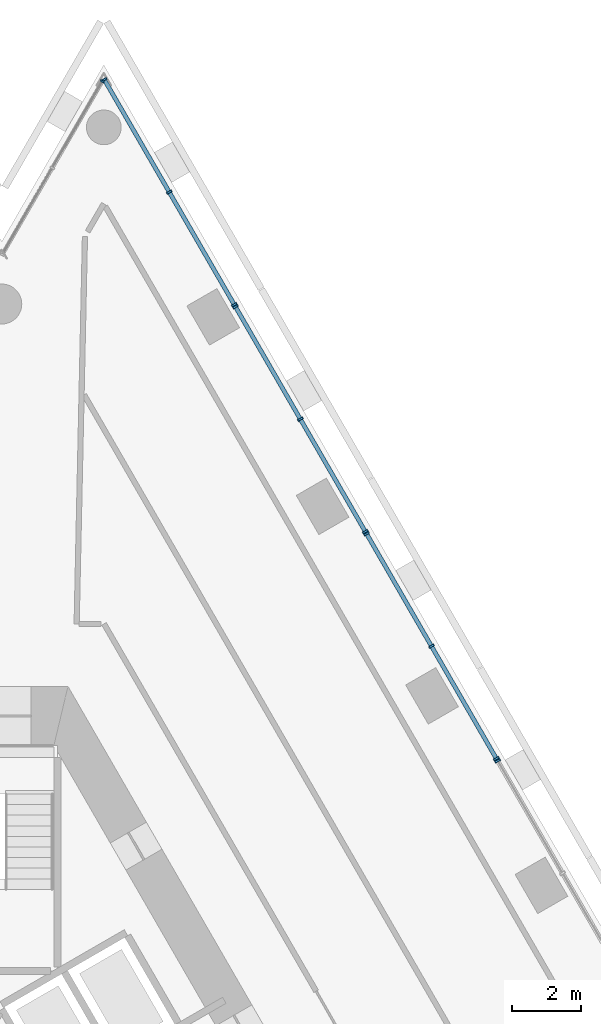
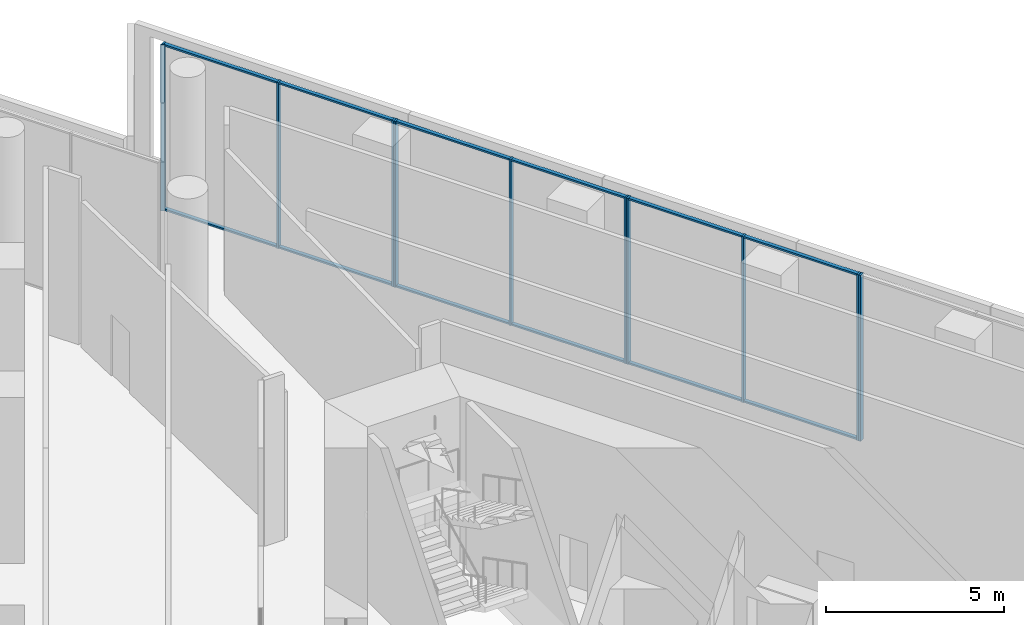
# One storey, part 8 of 18: 23 members, 5 elements without a shape of their own.
"""IFC4 building model written with IfcOpenShell, lengths in metres."""

from ifc_helpers import new_model, si_unit, direction, frame, origin, origin_2d, place, context, subcontext, project, spatial, rectangle, extrude, material, layer, layer_set, material_profile, profile_set, type_object, element, aggregate, save


model = new_model("IFC4")

# Units and contexts
model_context = context("Model", 3, precision=1e-05, world=origin(), true_north=direction((0.0, 1.0)))
body_context = subcontext(model_context, "Body", "Model", "MODEL_VIEW")
ifc_project = project(units=[si_unit("LENGTHUNIT", "METRE"), si_unit("AREAUNIT", "SQUARE_METRE"), si_unit("VOLUMEUNIT", "CUBIC_METRE"), si_unit("PLANEANGLEUNIT", "RADIAN"), si_unit("MASSUNIT", "GRAM", prefix="KILO")], contexts=[model_context])

# Site, building, storey
site_placement = place(None, origin())
site = spatial("IfcSite", under=ifc_project, at=site_placement, CompositionType="ELEMENT")
building_placement = place(site_placement, origin())
building = spatial("IfcBuilding", under=site, at=building_placement, Name="Triada Interchange Tower", CompositionType="ELEMENT")
storey_placement = place(building_placement, frame((0.0, 0.0, 185.300048828125)))
storey = spatial("IfcBuildingStorey", under=building, at=storey_placement, Name="L43", CompositionType="ELEMENT", Elevation=185.300048828125)

# Curtain wall, member
ifc_material_1 = material(Name="Aluminium framed glazing", Category="aluminium")
ifc_layer_1 = layer(ifc_material_1, 0.199951171875)
ifc_layer_set_1 = layer_set([ifc_layer_1], Name="Curtain wall Sky lobby glazing")
curtain_wall_type_1 = type_object("IfcCurtainWallType", Name="Curtain wall Sky lobby glazing", PredefinedType="NOTDEFINED", material=ifc_layer_set_1)
curtain_wall_1_placement = place(storey_placement, origin())
curtain_wall_1 = element("IfcCurtainWall", 1, at=curtain_wall_1_placement, inside=storey, type_object=curtain_wall_type_1, Name="Sky lobby glazing CW122 L43", PredefinedType="NOTDEFINED")
ifc_material_2 = material(Name="Aluminium", Category="aluminium")
ifc_material_profile_1 = material_profile(ifc_material_2, rectangle(XDim=0.159912109375, YDim=0.06005859375, at=origin_2d()), Name="Aluminium mullion")
ifc_profile_set_1 = profile_set([ifc_material_profile_1], Name="Aluminium")
member_type_1 = type_object("IfcMemberType", Name="Mullion Sky lobby glazing 160x60", PredefinedType="MULLION", material=ifc_profile_set_1)
member_1_placement = place(storey_placement, frame((14.27490234375, 12.55810546875, 0.0), z_axis=(0.0, 0.0, 1.0), x_axis=(-0.866046386007, -0.499963655963, 0.0)))
member_1 = element("IfcMember", 2, at=member_1_placement, type_object=member_type_1, Name="CW122 mullion 3", PredefinedType="MULLION", context=body_context, shape_type="SweptSolid", body=[
    extrude(rectangle(XDim=0.159912109375, YDim=0.06005859375, at=origin_2d()), origin(), (0.0, 0.0, 1.0), 5.699951171875),
])
aggregate(curtain_wall_1, [member_1])

# Curtain wall, members
curtain_wall_2_placement = place(storey_placement, origin())
curtain_wall_2 = element("IfcCurtainWall", 3, at=curtain_wall_2_placement, inside=storey, type_object=curtain_wall_type_1, Name="Sky lobby glazing CW123 L43", PredefinedType="NOTDEFINED")
member_2_placement = place(storey_placement, frame((14.239990234375, 12.618896484375, 0.0), z_axis=(0.0, 0.0, 1.0), x_axis=(-0.866046386007, -0.499963655963, 0.0)))
member_2 = element("IfcMember", 4, at=member_2_placement, type_object=member_type_1, Name="CW123 mullion 1", PredefinedType="MULLION", context=body_context, shape_type="SweptSolid", body=[
    extrude(rectangle(XDim=0.159912109375, YDim=0.06005859375, at=origin_2d()), origin(), (0.0, 0.0, 1.0), 5.699951171875),
])
member_3_placement = place(storey_placement, frame((12.37109375, 15.8564453125, 0.0), z_axis=(0.0, 0.0, 1.0), x_axis=(-0.866046386007, -0.499963655963, 0.0)))
member_3 = element("IfcMember", 5, at=member_3_placement, type_object=member_type_1, Name="CW123 mullion 2", PredefinedType="MULLION", context=body_context, shape_type="SweptSolid", body=[
    extrude(rectangle(XDim=0.159912109375, YDim=0.06005859375, at=origin_2d()), origin(), (0.0, 0.0, 1.0), 5.699951171875),
])
member_4_placement = place(storey_placement, frame((10.501953125, 19.093994140625, 0.0), z_axis=(0.0, 0.0, 1.0), x_axis=(-0.866046386007, -0.499963655963, 0.0)))
member_4 = element("IfcMember", 6, at=member_4_placement, type_object=member_type_1, Name="CW123 mullion 3", PredefinedType="MULLION", context=body_context, shape_type="SweptSolid", body=[
    extrude(rectangle(XDim=0.159912109375, YDim=0.06005859375, at=origin_2d()), origin(), (0.0, 0.0, 1.0), 5.699951171875),
])

curtain_wall_3_placement = place(storey_placement, origin())
curtain_wall_3 = element("IfcCurtainWall", 7, at=curtain_wall_3_placement, inside=storey, type_object=curtain_wall_type_1, Name="Sky lobby glazing CW124 L43", PredefinedType="NOTDEFINED")
member_5_placement = place(storey_placement, frame((10.467041015625, 19.154052734375, 0.0), z_axis=(0.0, 0.0, 1.0), x_axis=(-0.86598893184, -0.500063165941, 0.0)))
member_5 = element("IfcMember", 8, at=member_5_placement, type_object=member_type_1, Name="CW124 mullion 1", PredefinedType="MULLION", context=body_context, shape_type="SweptSolid", body=[
    extrude(rectangle(XDim=0.159912109375, YDim=0.06005859375, at=origin_2d()), origin(), (0.0, 0.0, 1.0), 5.699951171875),
])
member_6_placement = place(storey_placement, frame((8.597412109375, 22.3916015625, 0.0), z_axis=(0.0, 0.0, 1.0), x_axis=(-0.86598893184, -0.500063165941, 0.0)))
member_6 = element("IfcMember", 9, at=member_6_placement, type_object=member_type_1, Name="CW124 mullion 2", PredefinedType="MULLION", context=body_context, shape_type="SweptSolid", body=[
    extrude(rectangle(XDim=0.159912109375, YDim=0.06005859375, at=origin_2d()), origin(), (0.0, 0.0, 1.0), 5.699951171875),
])
member_7_placement = place(storey_placement, frame((6.72802734375, 25.62890625, 0.0), z_axis=(0.0, 0.0, 1.0), x_axis=(-0.86598893184, -0.500063165941, 0.0)))
member_7 = element("IfcMember", 10, at=member_7_placement, type_object=member_type_1, Name="CW124 mullion 3", PredefinedType="MULLION", context=body_context, shape_type="SweptSolid", body=[
    extrude(rectangle(XDim=0.159912109375, YDim=0.06005859375, at=origin_2d()), origin(), (0.0, 0.0, 1.0), 5.699951171875),
])

curtain_wall_4_placement = place(storey_placement, origin())
curtain_wall_4 = element("IfcCurtainWall", 11, at=curtain_wall_4_placement, inside=storey, type_object=curtain_wall_type_1, Name="Sky lobby glazing CW125 L43", PredefinedType="NOTDEFINED")
member_8_placement = place(storey_placement, frame((6.693115234375, 25.68994140625, 0.0), z_axis=(0.0, 0.0, 1.0), x_axis=(-0.866006720076, -0.500032359736, 0.0)))
member_8 = element("IfcMember", 12, at=member_8_placement, type_object=member_type_1, Name="CW125 mullion 1", PredefinedType="MULLION", context=body_context, shape_type="SweptSolid", body=[
    extrude(rectangle(XDim=0.159912109375, YDim=0.06005859375, at=origin_2d()), origin(), (0.0, 0.0, 1.0), 5.699951171875),
])
member_9_placement = place(storey_placement, frame((4.822509765625, 28.929443359375, 0.0), z_axis=(0.0, 0.0, 1.0), x_axis=(-0.866006720076, -0.500032359736, 0.0)))
member_9 = element("IfcMember", 13, at=member_9_placement, type_object=member_type_1, Name="CW125 mullion 2", PredefinedType="MULLION", context=body_context, shape_type="SweptSolid", body=[
    extrude(rectangle(XDim=0.159912109375, YDim=0.06005859375, at=origin_2d()), origin(), (0.0, 0.0, 1.0), 5.699951171875),
])
member_10_placement = place(storey_placement, frame((2.951904296875, 32.1689453125, 0.0), z_axis=(0.0, 0.0, 1.0), x_axis=(-0.866006720076, -0.500032359736, 0.0)))
member_10 = element("IfcMember", 14, at=member_10_placement, type_object=member_type_1, Name="CW125 mullion 3", PredefinedType="MULLION", context=body_context, shape_type="SweptSolid", body=[
    extrude(rectangle(XDim=0.159912109375, YDim=0.06005859375, at=origin_2d()), origin(), (0.0, 0.0, 1.0), 5.699951171875),
])

# Curtain wall, member
ifc_layer_2 = layer(ifc_material_1, 0.199951171875)
ifc_layer_set_2 = layer_set([ifc_layer_2], Name="Curtain wall Winter garden glazing")
curtain_wall_type_2 = type_object("IfcCurtainWallType", Name="Curtain wall Winter garden glazing", PredefinedType="NOTDEFINED", material=ifc_layer_set_2)
curtain_wall_5_placement = place(storey_placement, origin())
curtain_wall_5 = element("IfcCurtainWall", 15, at=curtain_wall_5_placement, inside=storey, type_object=curtain_wall_type_2, Name="Winter garden glazing CW126 L43", PredefinedType="NOTDEFINED")
ifc_material_profile_2 = material_profile(ifc_material_2, rectangle(XDim=0.1201171875, YDim=0.050048828125, at=origin_2d()), Name="Aluminium mullion")
ifc_profile_set_2 = profile_set([ifc_material_profile_2], Name="Aluminium")
member_type_2 = type_object("IfcMemberType", Name="Mullion Winter garden glazing 120x50", PredefinedType="MULLION", material=ifc_profile_set_2)
member_11_placement = place(storey_placement, frame((2.89453125, 32.121337890625, 0.0), z_axis=(0.0, 0.0, 1.0), x_axis=(0.866022320766, -0.500005339907, 0.0)))
member_11 = element("IfcMember", 16, at=member_11_placement, type_object=member_type_2, Name="CW126 mullion 1", PredefinedType="MULLION", context=body_context, shape_type="SweptSolid", body=[
    extrude(rectangle(XDim=0.1201171875, YDim=0.050048828125, at=origin_2d()), origin(), (0.0, 0.0, 1.0), 5.699951171875),
])
aggregate(curtain_wall_5, [member_11])

# Member
ifc_material_profile_3 = material_profile(ifc_material_2, rectangle(XDim=0.1201171875, YDim=0.06005859375, at=origin_2d()), Name="Aluminium transom")
ifc_profile_set_3 = profile_set([ifc_material_profile_3], Name="Aluminium")
member_type_3 = type_object("IfcMemberType", Name="Transom Sky lobby glazing 120x60", PredefinedType="USERDEFINED", material=ifc_profile_set_3)
member_12_placement = place(storey_placement, frame((14.22509765625, 12.64501953125, 0.030029296875), z_axis=(-0.499986743006, 0.866033057578, 0.0), x_axis=(-0.866033057578, -0.499986743006, 0.0)))
member_12 = element("IfcMember", 17, at=member_12_placement, type_object=member_type_3, Name="CW123 transom 1.1", ObjectType="TRANSOM", PredefinedType="USERDEFINED", context=body_context, shape_type="SweptSolid", body=[
    extrude(rectangle(XDim=0.1201171875, YDim=0.06005859375, at=origin_2d()), origin(), (0.0, 0.0, 1.0), 3.67822265625),
])

member_13_placement = place(storey_placement, frame((14.22509765625, 12.64501953125, 5.669921875), z_axis=(-0.499986743006, 0.866033057578, 0.0), x_axis=(-0.866033057578, -0.499986743006, 0.0)))
member_13 = element("IfcMember", 18, at=member_13_placement, type_object=member_type_3, Name="CW123 transom 1.2", ObjectType="TRANSOM", PredefinedType="USERDEFINED", context=body_context, shape_type="SweptSolid", body=[
    extrude(rectangle(XDim=0.1201171875, YDim=0.06005859375, at=origin_2d()), origin(), (0.0, 0.0, 1.0), 3.67822265625),
])

member_14_placement = place(storey_placement, frame((12.35595703125, 15.882568359375, 0.030029296875), z_axis=(-0.499936960004, 0.866061796884, 0.0), x_axis=(-0.866061796884, -0.499936960004, 0.0)))
member_14 = element("IfcMember", 19, at=member_14_placement, type_object=member_type_3, Name="CW123 transom 2.1", ObjectType="TRANSOM", PredefinedType="USERDEFINED", context=body_context, shape_type="SweptSolid", body=[
    extrude(rectangle(XDim=0.1201171875, YDim=0.06005859375, at=origin_2d()), origin(), (0.0, 0.0, 1.0), 3.67822265625),
])

member_15_placement = place(storey_placement, frame((12.35595703125, 15.882568359375, 5.669921875), z_axis=(-0.499936960004, 0.866061796884, 0.0), x_axis=(-0.866061796884, -0.499936960004, 0.0)))
member_15 = element("IfcMember", 20, at=member_15_placement, type_object=member_type_3, Name="CW123 transom 2.2", ObjectType="TRANSOM", PredefinedType="USERDEFINED", context=body_context, shape_type="SweptSolid", body=[
    extrude(rectangle(XDim=0.1201171875, YDim=0.06005859375, at=origin_2d()), origin(), (0.0, 0.0, 1.0), 3.67822265625),
])

aggregate(curtain_wall_2, [member_2, member_3, member_4, member_12, member_13, member_14, member_15])

member_16_placement = place(storey_placement, frame((10.451904296875, 19.179931640625, 0.030029296875), z_axis=(-0.500036521051, 0.866004317319, 0.0), x_axis=(-0.866004317319, -0.500036521051, 0.0)))
member_16 = element("IfcMember", 21, at=member_16_placement, type_object=member_type_3, Name="CW124 transom 1.1", ObjectType="TRANSOM", PredefinedType="USERDEFINED", context=body_context, shape_type="SweptSolid", body=[
    extrude(rectangle(XDim=0.1201171875, YDim=0.06005859375, at=origin_2d()), origin(), (0.0, 0.0, 1.0), 3.678466796875),
])

member_17_placement = place(storey_placement, frame((10.451904296875, 19.179931640625, 5.669921875), z_axis=(-0.500036521051, 0.866004317319, 0.0), x_axis=(-0.866004317319, -0.500036521051, 0.0)))
member_17 = element("IfcMember", 22, at=member_17_placement, type_object=member_type_3, Name="CW124 transom 1.2", ObjectType="TRANSOM", PredefinedType="USERDEFINED", context=body_context, shape_type="SweptSolid", body=[
    extrude(rectangle(XDim=0.1201171875, YDim=0.06005859375, at=origin_2d()), origin(), (0.0, 0.0, 1.0), 3.678466796875),
])

member_18_placement = place(storey_placement, frame((8.58251953125, 22.41748046875, 0.030029296875), z_axis=(-0.500086294141, 0.865975576106, 0.0), x_axis=(-0.865975576106, -0.500086294141, 0.0)))
member_18 = element("IfcMember", 23, at=member_18_placement, type_object=member_type_3, Name="CW124 transom 2.1", ObjectType="TRANSOM", PredefinedType="USERDEFINED", context=body_context, shape_type="SweptSolid", body=[
    extrude(rectangle(XDim=0.1201171875, YDim=0.06005859375, at=origin_2d()), origin(), (0.0, 0.0, 1.0), 3.678466796875),
])

member_19_placement = place(storey_placement, frame((8.58251953125, 22.41748046875, 5.669921875), z_axis=(-0.500086294141, 0.865975576106, 0.0), x_axis=(-0.865975576106, -0.500086294141, 0.0)))
member_19 = element("IfcMember", 24, at=member_19_placement, type_object=member_type_3, Name="CW124 transom 2.2", ObjectType="TRANSOM", PredefinedType="USERDEFINED", context=body_context, shape_type="SweptSolid", body=[
    extrude(rectangle(XDim=0.1201171875, YDim=0.06005859375, at=origin_2d()), origin(), (0.0, 0.0, 1.0), 3.678466796875),
])

aggregate(curtain_wall_3, [member_5, member_6, member_7, member_16, member_17, member_18, member_19])

member_20_placement = place(storey_placement, frame((6.677978515625, 25.716064453125, 0.030029296875), z_axis=(-0.500055461028, 0.865993380977, 0.0), x_axis=(-0.865993380977, -0.500055461028, 0.0)))
member_20 = element("IfcMember", 25, at=member_20_placement, type_object=member_type_3, Name="CW125 transom 1.1", ObjectType="TRANSOM", PredefinedType="USERDEFINED", context=body_context, shape_type="SweptSolid", body=[
    extrude(rectangle(XDim=0.1201171875, YDim=0.06005859375, at=origin_2d()), origin(), (0.0, 0.0, 1.0), 3.6806640625),
])

member_21_placement = place(storey_placement, frame((6.677978515625, 25.716064453125, 5.669921875), z_axis=(-0.500055461028, 0.865993380977, 0.0), x_axis=(-0.865993380977, -0.500055461028, 0.0)))
member_21 = element("IfcMember", 26, at=member_21_placement, type_object=member_type_3, Name="CW125 transom 1.2", ObjectType="TRANSOM", PredefinedType="USERDEFINED", context=body_context, shape_type="SweptSolid", body=[
    extrude(rectangle(XDim=0.1201171875, YDim=0.06005859375, at=origin_2d()), origin(), (0.0, 0.0, 1.0), 3.6806640625),
])

member_22_placement = place(storey_placement, frame((4.8076171875, 28.95556640625, 0.030029296875), z_axis=(-0.500055461028, 0.865993380977, 0.0), x_axis=(-0.865993380977, -0.500055461028, 0.0)))
member_22 = element("IfcMember", 27, at=member_22_placement, type_object=member_type_3, Name="CW125 transom 2.1", ObjectType="TRANSOM", PredefinedType="USERDEFINED", context=body_context, shape_type="SweptSolid", body=[
    extrude(rectangle(XDim=0.1201171875, YDim=0.06005859375, at=origin_2d()), origin(), (0.0, 0.0, 1.0), 3.6806640625),
])

member_23_placement = place(storey_placement, frame((4.8076171875, 28.95556640625, 5.669921875), z_axis=(-0.500055461028, 0.865993380977, 0.0), x_axis=(-0.865993380977, -0.500055461028, 0.0)))
member_23 = element("IfcMember", 28, at=member_23_placement, type_object=member_type_3, Name="CW125 transom 2.2", ObjectType="TRANSOM", PredefinedType="USERDEFINED", context=body_context, shape_type="SweptSolid", body=[
    extrude(rectangle(XDim=0.1201171875, YDim=0.06005859375, at=origin_2d()), origin(), (0.0, 0.0, 1.0), 3.6806640625),
])

aggregate(curtain_wall_4, [member_8, member_9, member_10, member_20, member_21, member_22, member_23])

save(model, "model.ifc")
